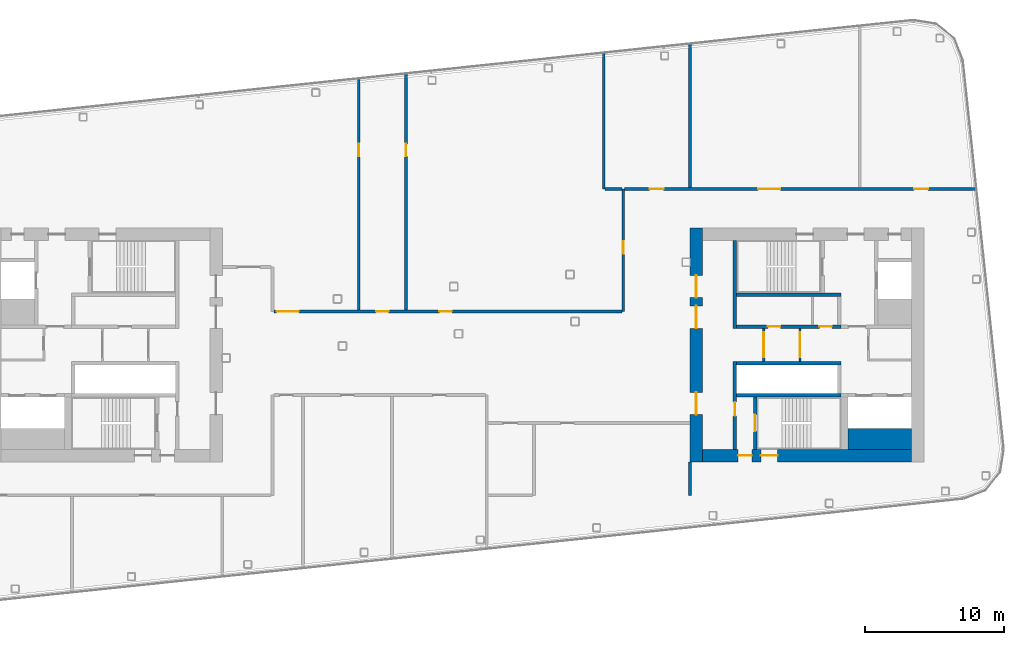
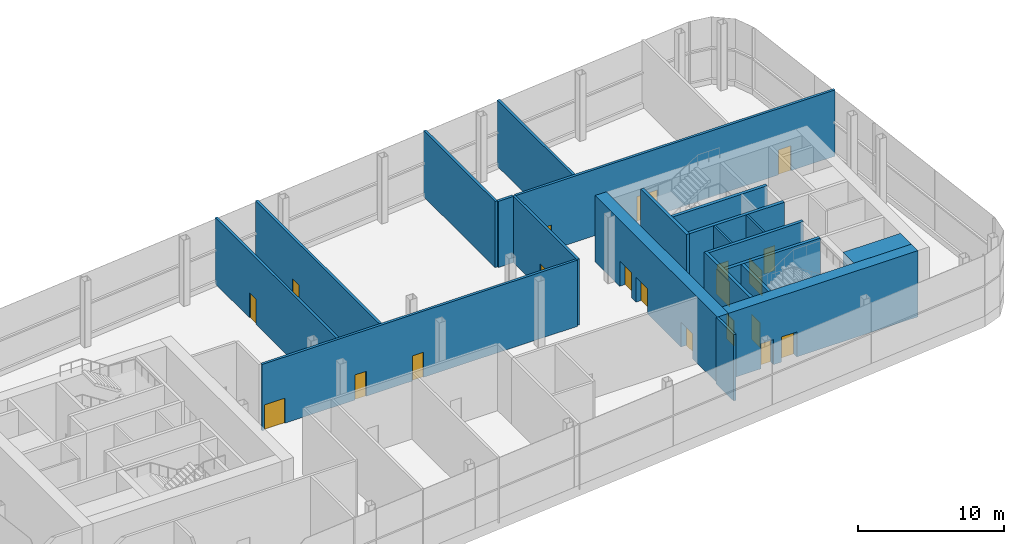
# One storey, part 16 of 35: 21 walls, 20 doors, 20 openings.
"""IFC4 building model written with IfcOpenShell, lengths in metres."""

import ifcopenshell
import ifcopenshell.guid

model = None  # the IFC model being written
_history = None  # IfcOwnerHistory: only IFC2X3 demands one
_inside = {}  # id of a spatial element -> (the spatial element, [elements in it])
_under = {}  # id of a project, library or spatial element -> (it, [spatial elements below it])
_declared = {}  # id of a project -> (the project, [libraries it declares])
_typed = {}  # id of a type object -> (the type object, [elements of that type])
_made_of = {}  # id of a material, layer set ... -> (it, [elements and type objects made of it])


def new_model(schema):
    """Start an empty IFC model of exactly this schema.

    Asked for "IFC4X3", IfcOpenShell would pick the latest addendum, in which some entities
    have other attributes; the version numbers below select the first issue.
    IFC2X3 requires an IfcOwnerHistory on every rooted entity: one is made here for all.
    """
    global model, _history
    if schema == "IFC4X3":
        model = ifcopenshell.file(schema_version=(4, 3, 0, 0))
    else:
        model = ifcopenshell.file(schema=schema)
    _inside.clear()
    _under.clear()
    _declared.clear()
    _typed.clear()
    _made_of.clear()
    _history = None
    if model.schema == "IFC2X3":
        org = make("IfcOrganization", Name="unknown")
        user = make(
            "IfcPersonAndOrganization",
            ThePerson=make("IfcPerson", FamilyName="unknown"),
            TheOrganization=org,
        )
        app = make(
            "IfcApplication",
            ApplicationDeveloper=org,
            Version="unknown",
            ApplicationFullName="unknown",
            ApplicationIdentifier="unknown",
        )
        _history = make(
            "IfcOwnerHistory",
            OwningUser=user,
            OwningApplication=app,
            ChangeAction="ADDED",
            CreationDate=0,
        )
    return model


def make(cls, **values):
    """One entity of the class cls with the attributes given. An attribute that is None is left unset."""
    return model.create_entity(
        cls, **{name: value for name, value in values.items() if value is not None}
    )


def rooted(cls, **values):
    """An entity with a GlobalId (a new one), such as an element, a storey or a relation."""
    return make(cls, GlobalId=ifcopenshell.guid.new(), OwnerHistory=_history, **values)


def si_unit(unit_type, name, prefix=None):
    """IfcSIUnit, for example si_unit("LENGTHUNIT", "METRE", prefix="MILLI")."""
    return make("IfcSIUnit", UnitType=unit_type, Prefix=prefix, Name=name)


def assignment(units):
    """IfcUnitAssignment: the units of a project."""
    return None if units is None else make("IfcUnitAssignment", Units=units)


def point(xyz):
    """IfcCartesianPoint."""
    return None if xyz is None else make("IfcCartesianPoint", Coordinates=xyz)


def direction(xyz):
    """IfcDirection."""
    return None if xyz is None else make("IfcDirection", DirectionRatios=xyz)


def frame(location, z_axis=None, x_axis=None):
    """IfcAxis2Placement3D, a coordinate frame: its origin and axes. An axis left out is left unset."""
    return make(
        "IfcAxis2Placement3D",
        Location=point(location),
        Axis=direction(z_axis),
        RefDirection=direction(x_axis),
    )


def frame_2d(location, x_axis=None):
    """IfcAxis2Placement2D, a coordinate frame in the plane: its origin and x axis."""
    return make(
        "IfcAxis2Placement2D", Location=point(location), RefDirection=direction(x_axis)
    )


def origin():
    """The frame at (0, 0, 0) with its axes left unset."""
    return frame((0.0, 0.0, 0.0))


def place(relative_to, where):
    """IfcLocalPlacement: puts the frame where relative to a parent placement (None: the world)."""
    return make(
        "IfcLocalPlacement", PlacementRelTo=relative_to, RelativePlacement=where
    )


def context(
    kind, dimensions, precision=None, world=None, true_north=None, identifier=None
):
    """IfcGeometricRepresentationContext, for example the 3D "Model" context."""
    return make(
        "IfcGeometricRepresentationContext",
        ContextIdentifier=identifier,
        ContextType=kind,
        CoordinateSpaceDimension=dimensions,
        Precision=precision,
        WorldCoordinateSystem=world,
        TrueNorth=true_north,
    )


def subcontext(parent, identifier, kind, view, scale=None):
    """IfcGeometricRepresentationSubContext, for example "Body" below "Model"."""
    return make(
        "IfcGeometricRepresentationSubContext",
        ContextIdentifier=identifier,
        ContextType=kind,
        ParentContext=parent,
        TargetScale=scale,
        TargetView=view,
    )


def project(units=None, contexts=None):
    """IfcProject with its units and contexts."""
    return rooted(
        "IfcProject",
        Name="project",
        RepresentationContexts=contexts,
        UnitsInContext=assignment(units),
    )


def spatial(cls, under=None, at=None, **own):
    """A site, building, storey or space (cls), placed at a placement, below another one or the project."""
    s = rooted(cls, ObjectPlacement=at, **own)
    if under is not None:
        _under.setdefault(under.id(), (under, []))[1].append(s)
    return s


def profile(cls, at=None, kind="AREA", **sizes):
    """A parametric profile (cls). Its sizes go by their IFC names, for example OverallWidth=200.0."""
    return make(cls, ProfileType=kind, Position=at, **sizes)


def rectangle(**sizes):
    """IfcRectangleProfileDef."""
    return profile("IfcRectangleProfileDef", **sizes)


def extrude(swept, where, along, depth):
    """IfcExtrudedAreaSolid: the profile swept, set in the frame where, extruded along a direction by depth."""
    return make(
        "IfcExtrudedAreaSolid",
        SweptArea=swept,
        Position=where,
        ExtrudedDirection=direction(along),
        Depth=depth,
    )


def shape(context_of_items, identifier, shape_type, items):
    """IfcShapeRepresentation: the items that make up one representation, for example the "Body"."""
    return make(
        "IfcShapeRepresentation",
        ContextOfItems=context_of_items,
        RepresentationIdentifier=identifier,
        RepresentationType=shape_type,
        Items=items,
    )


def material(Name=None, Category=None):
    """IfcMaterial."""
    return make("IfcMaterial", Name=Name, Category=Category)


def layer(
    of_material, thickness, ventilated=None, Name=None, Category=None, Priority=None
):
    """IfcMaterialLayer: one layer of a wall or slab, of a material (None: an air gap)."""
    return make(
        "IfcMaterialLayer",
        Material=of_material,
        LayerThickness=thickness,
        IsVentilated=ventilated,
        Name=Name,
        Category=Category,
        Priority=Priority,
    )


def layer_set(layers, Name=None):
    """IfcMaterialLayerSet."""
    return make("IfcMaterialLayerSet", MaterialLayers=layers, LayerSetName=Name)


def made_of(thing, what):
    """Note that an element or type object is made of a material, layer set ...; save() writes the relation."""
    if what is not None:
        _made_of.setdefault(what.id(), (what, []))[1].append(thing)
    return thing


def type_object(cls, material=None, **own):
    """A type object (cls), such as IfcWallType, which elements share."""
    return made_of(rooted(cls, **own), material)


def element(
    cls,
    number,
    at=None,
    inside=None,
    cuts=None,
    type_object=None,
    material=None,
    context=None,
    identifier="Body",
    shape_type=None,
    held_by="IfcProductDefinitionShape",
    body=None,
    shapes=None,
    **own,
):
    """One element of the class cls, such as IfcWall. Its Tag is "e" and its number.

    at: its placement. inside: the storey or other place that contains it. cuts: it is an
    opening in that element (IfcRelVoidsElement). A single representation is given by context,
    identifier, shape_type and body (its items); several are given by shapes. held_by: the class
    of the entity that holds the representations. save() writes the other relations.
    """
    e = rooted(cls, Tag="e%d" % number, ObjectPlacement=at, **own)
    if body is not None:
        shapes = [shape(context, identifier, shape_type, body)]
    if shapes is not None:
        e.Representation = make(held_by, Representations=shapes)
    if inside is not None:
        _inside.setdefault(inside.id(), (inside, []))[1].append(e)
    if cuts is not None:
        rooted(
            "IfcRelVoidsElement", RelatingBuildingElement=cuts, RelatedOpeningElement=e
        )
    if type_object is not None:
        _typed.setdefault(type_object.id(), (type_object, []))[1].append(e)
    return made_of(e, material)


def fill(opening, filler):
    """IfcRelFillsElement: the door or window that sits in an opening."""
    return rooted(
        "IfcRelFillsElement",
        RelatingOpeningElement=opening,
        RelatedBuildingElement=filler,
    )


def aggregate(whole, parts):
    """IfcRelAggregates: a whole, such as a stair, and the parts it consists of."""
    return rooted("IfcRelAggregates", RelatingObject=whole, RelatedObjects=parts)


def save(model, path):
    """Write the relations noted so far, then the file.

    IfcRelAggregates (storeys below a building ...), IfcRelContainedInSpatialStructure (elements
    in a storey), IfcRelDefinesByType, IfcRelAssociatesMaterial and IfcRelDeclares: one each for
    every whole, place, type object, material and project.
    """
    for whole, parts in _under.values():
        aggregate(whole, parts)
    for where, things in _inside.values():
        rooted(
            "IfcRelContainedInSpatialStructure",
            RelatedElements=things,
            RelatingStructure=where,
        )
    for kind, things in _typed.values():
        rooted("IfcRelDefinesByType", RelatedObjects=things, RelatingType=kind)
    for what, things in _made_of.values():
        rooted("IfcRelAssociatesMaterial", RelatedObjects=things, RelatingMaterial=what)
    for by, libraries in _declared.values():
        rooted("IfcRelDeclares", RelatingContext=by, RelatedDefinitions=libraries)
    model.write(path)


model = new_model("IFC4")

# Units and contexts
model_context = context("Model", 3, precision=1e-05, world=origin(), true_north=direction((0.0, 1.0)))
body_context = subcontext(model_context, "Body", "Model", "MODEL_VIEW")
ifc_project = project(units=[si_unit("LENGTHUNIT", "METRE"), si_unit("AREAUNIT", "SQUARE_METRE"), si_unit("VOLUMEUNIT", "CUBIC_METRE"), si_unit("PLANEANGLEUNIT", "RADIAN"), si_unit("MASSUNIT", "GRAM", prefix="KILO")], contexts=[model_context])

# Site, building, storey
site_placement = place(None, origin())
site = spatial("IfcSite", under=ifc_project, at=site_placement, CompositionType="ELEMENT")
building_placement = place(site_placement, origin())
building = spatial("IfcBuilding", under=site, at=building_placement, Name="Hakoniwa Tower and Hamabe Station Hall", CompositionType="ELEMENT")
storey_placement = place(building_placement, frame((0.0, 0.0, 264.60009765625)))
storey = spatial("IfcBuildingStorey", under=building, at=storey_placement, Name="L75", CompositionType="ELEMENT", Elevation=264.60009765625)

# Wall, opening, door
ifc_material_1 = material(Name="Gypsum board partition")
ifc_layer_1 = layer(ifc_material_1, 0.14990234375)
ifc_layer_set_1 = layer_set([ifc_layer_1], Name="CORE PARTITION 150 EI 60")
wall_type_1 = type_object("IfcWallType", Name="CORE PARTITION 150 EI 60", PredefinedType="PARTITIONING", material=ifc_layer_set_1)
wall_1_placement = place(storey_placement, frame((22.10009765625, -1.199951171875, 0.0), z_axis=(0.0, 0.0, 1.0), x_axis=(0.0, 1.0, 0.0)))
wall_1 = element("IfcWall", 1, at=wall_1_placement, inside=storey, type_object=wall_type_1, Name="Core partition PL0 east", PredefinedType="PARTITIONING", context=body_context, shape_type="SweptSolid", body=[
    extrude(rectangle(XDim=2.39990234375, YDim=0.14990234375, at=frame_2d((1.199951171875, 0.0))), origin(), (0.0, 0.0, 1.0), 5.5498046875),
])
opening_1_placement = place(wall_1_placement, frame((0.300048828125, 0.0, 0.0)))
opening_1 = element("IfcOpeningElement", 2, at=opening_1_placement, cuts=wall_1, Name="Opening CD-E-LP0-18", PredefinedType="OPENING", context=body_context, shape_type="SweptSolid", body=[
    extrude(rectangle(XDim=1.800048828125, YDim=2.10009765625, at=frame_2d((0.89990234375, 1.050048828125))), frame((0.0, 0.0849609375, 0.0), z_axis=(0.0, -1.0, 0.0), x_axis=(1.0, 0.0, 0.0)), (0.0, 0.0, 1.0), 0.169921875),
])
ifc_material_2 = material(Name="Steel fire door", Category="steel")
door_type_1 = type_object("IfcDoorType", Name="CORE DOOR 1800 FD60", OperationType="DOUBLE_DOOR_SINGLE_SWING", PredefinedType="DOOR", material=ifc_material_2)
door_1_placement = place(opening_1_placement, origin())
door_1 = element("IfcDoor", 3, at=door_1_placement, inside=storey, type_object=door_type_1, Name="Lift lobby partition door", OperationType="DOUBLE_DOOR_SINGLE_SWING", OverallHeight=2.10009765625, OverallWidth=1.800048828125, PredefinedType="DOOR", context=body_context, shape_type="SweptSolid", body=[
    extrude(rectangle(XDim=1.800048828125, YDim=2.10009765625, at=frame_2d((0.89990234375, 1.050048828125))), frame((0.0, 0.02490234375, 0.0), z_axis=(0.0, -1.0, 0.0), x_axis=(1.0, 0.0, 0.0)), (0.0, 0.0, 1.0), 0.050048828125),
])
fill(opening_1, door_1)

wall_2_placement = place(storey_placement, frame((24.699951171875, -1.199951171875, 0.0), z_axis=(0.0, 0.0, 1.0), x_axis=(0.0, 1.0, 0.0)))
wall_2 = element("IfcWall", 4, at=wall_2_placement, inside=storey, type_object=wall_type_1, Name="Core partition PL1 east", PredefinedType="PARTITIONING", context=body_context, shape_type="SweptSolid", body=[
    extrude(rectangle(XDim=2.39990234375, YDim=0.14990234375, at=frame_2d((1.199951171875, 0.0))), origin(), (0.0, 0.0, 1.0), 5.5498046875),
])
opening_2_placement = place(wall_2_placement, frame((0.300048828125, 0.0, 0.0)))
opening_2 = element("IfcOpeningElement", 5, at=opening_2_placement, cuts=wall_2, Name="Opening CD-E-LP1-18", PredefinedType="OPENING", context=body_context, shape_type="SweptSolid", body=[
    extrude(rectangle(XDim=1.800048828125, YDim=2.10009765625, at=frame_2d((0.89990234375, 1.050048828125))), frame((0.0, 0.0849609375, 0.0), z_axis=(0.0, -1.0, 0.0), x_axis=(1.0, 0.0, 0.0)), (0.0, 0.0, 1.0), 0.169921875),
])
door_2_placement = place(opening_2_placement, origin())
door_2 = element("IfcDoor", 6, at=door_2_placement, inside=storey, type_object=door_type_1, Name="Lift lobby partition door", OperationType="DOUBLE_DOOR_SINGLE_SWING", OverallHeight=2.10009765625, OverallWidth=1.800048828125, PredefinedType="DOOR", context=body_context, shape_type="SweptSolid", body=[
    extrude(rectangle(XDim=1.800048828125, YDim=2.10009765625, at=frame_2d((0.89990234375, 1.050048828125))), frame((0.0, 0.02490234375, 0.0), z_axis=(0.0, -1.0, 0.0), x_axis=(1.0, 0.0, 0.0)), (0.0, 0.0, 1.0), 0.050048828125),
])
fill(opening_2, door_2)

# Wall, openings, doors
ifc_material_3 = material(Name="Concrete C60", Category="concrete")
ifc_layer_2 = layer(ifc_material_3, 0.89990234375)
ifc_layer_set_2 = layer_set([ifc_layer_2], Name="CORE WALL 900 C60")
wall_type_2 = type_object("IfcWallType", Name="CORE WALL 900 C60", PredefinedType="SHEAR", material=ifc_layer_set_2)
wall_3_placement = place(storey_placement, frame((17.25, -8.39990234375, 0.0), z_axis=(0.0, 0.0, 1.0), x_axis=(0.0, 1.0, 0.0)))
wall_3 = element("IfcWall", 7, at=wall_3_placement, inside=storey, type_object=wall_type_2, Name="Core wall INNER east", PredefinedType="SHEAR", context=body_context, shape_type="SweptSolid", body=[
    extrude(rectangle(XDim=16.7998046875, YDim=0.89990234375, at=frame_2d((8.39990234375, 0.0))), origin(), (0.0, 0.0, 1.0), 5.5498046875),
])
opening_3_placement = place(wall_3_placement, frame((3.39990234375, 0.0, 0.0)))
opening_3 = element("IfcOpeningElement", 8, at=opening_3_placement, cuts=wall_3, Name="Opening CD-E-IN1-16", PredefinedType="OPENING", context=body_context, shape_type="SweptSolid", body=[
    extrude(rectangle(XDim=1.60009765625, YDim=2.10009765625, at=frame_2d((0.800048828125, 1.050048828125))), frame((0.0, 0.4599609375, 0.0), z_axis=(0.0, -1.0, 0.0), x_axis=(1.0, 0.0, 0.0)), (0.0, 0.0, 1.0), 0.919921875),
])
opening_4_placement = place(wall_3_placement, frame((9.60009765625, 0.0, 0.0)))
opening_4 = element("IfcOpeningElement", 9, at=opening_4_placement, cuts=wall_3, Name="Opening CD-E-IN2-16", PredefinedType="OPENING", context=body_context, shape_type="SweptSolid", body=[
    extrude(rectangle(XDim=1.60009765625, YDim=2.10009765625, at=frame_2d((0.800048828125, 1.050048828125))), frame((0.0, 0.4599609375, 0.0), z_axis=(0.0, -1.0, 0.0), x_axis=(1.0, 0.0, 0.0)), (0.0, 0.0, 1.0), 0.919921875),
])
opening_5_placement = place(wall_3_placement, frame((11.800048828125, 0.0, 0.0)))
opening_5 = element("IfcOpeningElement", 10, at=opening_5_placement, cuts=wall_3, Name="Opening CD-E-IN3-16", PredefinedType="OPENING", context=body_context, shape_type="SweptSolid", body=[
    extrude(rectangle(XDim=1.60009765625, YDim=2.10009765625, at=frame_2d((0.800048828125, 1.050048828125))), frame((0.0, 0.4599609375, 0.0), z_axis=(0.0, -1.0, 0.0), x_axis=(1.0, 0.0, 0.0)), (0.0, 0.0, 1.0), 0.919921875),
])
ifc_material_4 = material(Name="Steel fire door", Category="steel")
door_type_2 = type_object("IfcDoorType", Name="CORE DOOR 1600 FD60", OperationType="DOUBLE_DOOR_SINGLE_SWING", PredefinedType="DOOR", material=ifc_material_4)
door_3_placement = place(opening_3_placement, origin())
door_3 = element("IfcDoor", 11, at=door_3_placement, inside=storey, type_object=door_type_2, Name="Lift lobby door", OperationType="DOUBLE_DOOR_SINGLE_SWING", OverallHeight=2.10009765625, OverallWidth=1.60009765625, PredefinedType="DOOR", context=body_context, shape_type="SweptSolid", body=[
    extrude(rectangle(XDim=1.60009765625, YDim=2.10009765625, at=frame_2d((0.800048828125, 1.050048828125))), frame((0.0, 0.02490234375, 0.0), z_axis=(0.0, -1.0, 0.0), x_axis=(1.0, 0.0, 0.0)), (0.0, 0.0, 1.0), 0.050048828125),
])
fill(opening_3, door_3)
door_4_placement = place(opening_4_placement, origin())
door_4 = element("IfcDoor", 12, at=door_4_placement, inside=storey, type_object=door_type_2, Name="Lift lobby door", OperationType="DOUBLE_DOOR_SINGLE_SWING", OverallHeight=2.10009765625, OverallWidth=1.60009765625, PredefinedType="DOOR", context=body_context, shape_type="SweptSolid", body=[
    extrude(rectangle(XDim=1.60009765625, YDim=2.10009765625, at=frame_2d((0.800048828125, 1.050048828125))), frame((0.0, 0.02490234375, 0.0), z_axis=(0.0, -1.0, 0.0), x_axis=(1.0, 0.0, 0.0)), (0.0, 0.0, 1.0), 0.050048828125),
])
fill(opening_4, door_4)
door_5_placement = place(opening_5_placement, origin())
door_5 = element("IfcDoor", 13, at=door_5_placement, inside=storey, type_object=door_type_2, Name="Lift lobby door", OperationType="DOUBLE_DOOR_SINGLE_SWING", OverallHeight=2.10009765625, OverallWidth=1.60009765625, PredefinedType="DOOR", context=body_context, shape_type="SweptSolid", body=[
    extrude(rectangle(XDim=1.60009765625, YDim=2.10009765625, at=frame_2d((0.800048828125, 1.050048828125))), frame((0.0, 0.02490234375, 0.0), z_axis=(0.0, -1.0, 0.0), x_axis=(1.0, 0.0, 0.0)), (0.0, 0.0, 1.0), 0.050048828125),
])
fill(opening_5, door_5)

wall_4_placement = place(storey_placement, frame((17.699951171875, -7.949951171875, 0.0), z_axis=(0.0, 0.0, 1.0), x_axis=(1.0, 0.0, 0.0)))
wall_4 = element("IfcWall", 14, at=wall_4_placement, inside=storey, type_object=wall_type_2, Name="Core wall SOUTH east", PredefinedType="SHEAR", context=body_context, shape_type="SweptSolid", body=[
    extrude(rectangle(XDim=15.0, YDim=0.89990234375, at=frame_2d((7.5, 0.0))), origin(), (0.0, 0.0, 1.0), 5.5498046875),
])
opening_6_placement = place(wall_4_placement, frame((2.550048828125, 0.0, 0.0)))
opening_6 = element("IfcOpeningElement", 15, at=opening_6_placement, cuts=wall_4, Name="Opening CD-E-FS3-10", PredefinedType="OPENING", context=body_context, shape_type="SweptSolid", body=[
    extrude(rectangle(XDim=1.0, YDim=2.10009765625, at=frame_2d((0.5, 1.050048828125))), frame((0.0, 0.4599609375, 0.0), z_axis=(0.0, -1.0, 0.0), x_axis=(1.0, 0.0, 0.0)), (0.0, 0.0, 1.0), 0.919921875),
])
opening_7_placement = place(wall_4_placement, frame((4.199951171875, 0.0, 0.0)))
opening_7 = element("IfcOpeningElement", 16, at=opening_7_placement, cuts=wall_4, Name="Opening CD-E-FS5-12", PredefinedType="OPENING", context=body_context, shape_type="SweptSolid", body=[
    extrude(rectangle(XDim=1.199951171875, YDim=2.10009765625, at=frame_2d((0.60009765625, 1.050048828125))), frame((0.0, 0.4599609375, 0.0), z_axis=(0.0, -1.0, 0.0), x_axis=(1.0, 0.0, 0.0)), (0.0, 0.0, 1.0), 0.919921875),
])
ifc_material_5 = material(Name="Steel fire door", Category="steel")
door_type_3 = type_object("IfcDoorType", Name="CORE DOOR 1000 FD60", OperationType="NOTDEFINED", PredefinedType="DOOR", material=ifc_material_5)
door_6_placement = place(opening_6_placement, origin())
door_6 = element("IfcDoor", 17, at=door_6_placement, inside=storey, type_object=door_type_3, Name="Stair vestibule door", OperationType="SINGLE_SWING_RIGHT", OverallHeight=2.10009765625, OverallWidth=1.0, PredefinedType="DOOR", context=body_context, shape_type="SweptSolid", body=[
    extrude(rectangle(XDim=1.0, YDim=2.10009765625, at=frame_2d((0.5, 1.050048828125))), frame((0.0, 0.02490234375, 0.0), z_axis=(0.0, -1.0, 0.0), x_axis=(1.0, 0.0, 0.0)), (0.0, 0.0, 1.0), 0.050048828125),
])
fill(opening_6, door_6)
ifc_material_6 = material(Name="Steel fire door", Category="steel")
door_type_4 = type_object("IfcDoorType", Name="CORE DOOR 1200 FD60", OperationType="DOUBLE_DOOR_SINGLE_SWING", PredefinedType="DOOR", material=ifc_material_6)
door_7_placement = place(opening_7_placement, origin())
door_7 = element("IfcDoor", 18, at=door_7_placement, inside=storey, type_object=door_type_4, Name="Stair vestibule door to stair B", OperationType="DOUBLE_DOOR_SINGLE_SWING", OverallHeight=2.10009765625, OverallWidth=1.199951171875, PredefinedType="DOOR", context=body_context, shape_type="SweptSolid", body=[
    extrude(rectangle(XDim=1.199951171875, YDim=2.10009765625, at=frame_2d((0.60009765625, 1.050048828125))), frame((0.0, 0.02490234375, 0.0), z_axis=(0.0, -1.0, 0.0), x_axis=(1.0, 0.0, 0.0)), (0.0, 0.0, 1.0), 0.050048828125),
])
fill(opening_7, door_7)

# Walls
ifc_material_7 = material(Name="Concrete C60", Category="concrete")
ifc_layer_3 = layer(ifc_material_7, 1.5)
ifc_layer_set_3 = layer_set([ifc_layer_3], Name="CORE WEB WALL 1500 C60")
wall_type_3 = type_object("IfcWallType", Name="CORE WEB WALL 1500 C60", PredefinedType="SHEAR", material=ifc_layer_set_3)
wall_5_placement = place(storey_placement, frame((28.14990234375, -6.75, 0.0), z_axis=(0.0, 0.0, 1.0), x_axis=(1.0, 0.0, 0.0)))
element("IfcWall", 19, at=wall_5_placement, inside=storey, type_object=wall_type_3, Name="Core wall SER east", PredefinedType="SHEAR", context=body_context, shape_type="SweptSolid", body=[
    extrude(rectangle(XDim=4.550048828125, YDim=1.5, at=frame_2d((2.27490234375, 0.0))), origin(), (0.0, 0.0, 1.0), 5.5498046875),
])
ifc_material_8 = material(Name="Concrete C60", Category="concrete")
ifc_layer_4 = layer(ifc_material_8, 0.25)
ifc_layer_set_4 = layer_set([ifc_layer_4], Name="CORE WEB WALL 250 C60")
wall_type_4 = type_object("IfcWallType", Name="CORE WEB WALL 250 C60", PredefinedType="SHEAR", material=ifc_layer_set_4)
wall_6_placement = place(storey_placement, frame((20.02490234375, 1.199951171875, 0.0), z_axis=(0.0, 0.0, 1.0), x_axis=(0.0, 1.0, 0.0)))
element("IfcWall", 20, at=wall_6_placement, inside=storey, type_object=wall_type_4, Name="Core wall W1N east", PredefinedType="SHEAR", context=body_context, shape_type="SweptSolid", body=[
    extrude(rectangle(XDim=6.300048828125, YDim=0.25, at=frame_2d((3.14990234375, 0.0))), origin(), (0.0, 0.0, 1.0), 5.5498046875),
])

# Wall, opening, door
wall_7_placement = place(storey_placement, frame((20.02490234375, -7.5, 0.0), z_axis=(0.0, 0.0, 1.0), x_axis=(0.0, 1.0, 0.0)))
wall_7 = element("IfcWall", 21, at=wall_7_placement, inside=storey, type_object=wall_type_4, Name="Core wall W1S east", PredefinedType="SHEAR", context=body_context, shape_type="SweptSolid", body=[
    extrude(rectangle(XDim=6.300048828125, YDim=0.25, at=frame_2d((3.14990234375, 0.0))), origin(), (0.0, 0.0, 1.0), 5.5498046875),
])
opening_8_placement = place(wall_7_placement, frame((2.39990234375, 0.0, 0.0)))
opening_8 = element("IfcOpeningElement", 22, at=opening_8_placement, cuts=wall_7, Name="Opening CD-E-VS-10", PredefinedType="OPENING", context=body_context, shape_type="SweptSolid", body=[
    extrude(rectangle(XDim=1.0, YDim=2.10009765625, at=frame_2d((0.5, 1.050048828125))), frame((0.0, 0.135009765625, 0.0), z_axis=(0.0, -1.0, 0.0), x_axis=(1.0, 0.0, 0.0)), (0.0, 0.0, 1.0), 0.27001953125),
])
door_8_placement = place(opening_8_placement, origin())
door_8 = element("IfcDoor", 23, at=door_8_placement, inside=storey, type_object=door_type_3, Name="Stair vestibule door", OperationType="SINGLE_SWING_RIGHT", OverallHeight=2.10009765625, OverallWidth=1.0, PredefinedType="DOOR", context=body_context, shape_type="SweptSolid", body=[
    extrude(rectangle(XDim=1.0, YDim=2.10009765625, at=frame_2d((0.5, 1.050048828125))), frame((0.0, 0.02490234375, 0.0), z_axis=(0.0, -1.0, 0.0), x_axis=(1.0, 0.0, 0.0)), (0.0, 0.0, 1.0), 0.050048828125),
])
fill(opening_8, door_8)

# Wall, openings, doors
wall_8_placement = place(storey_placement, frame((20.14990234375, 1.324951171875, 0.0), z_axis=(0.0, 0.0, 1.0), x_axis=(1.0, 0.0, 0.0)))
wall_8 = element("IfcWall", 24, at=wall_8_placement, inside=storey, type_object=wall_type_4, Name="Core wall NF east", PredefinedType="SHEAR", context=body_context, shape_type="SweptSolid", body=[
    extrude(rectangle(XDim=7.5, YDim=0.25, at=frame_2d((3.75, 0.0))), origin(), (0.0, 0.0, 1.0), 5.5498046875),
])
opening_9_placement = place(wall_8_placement, frame((2.237548828125, 0.0, 0.0)))
opening_9 = element("IfcOpeningElement", 25, at=opening_9_placement, cuts=wall_8, Name="Opening CD-E-FRLR0-9", PredefinedType="OPENING", context=body_context, shape_type="SweptSolid", body=[
    extrude(rectangle(XDim=0.89990234375, YDim=2.10009765625, at=frame_2d((0.449951171875, 1.050048828125))), frame((0.0, 0.135009765625, 0.0), z_axis=(0.0, -1.0, 0.0), x_axis=(1.0, 0.0, 0.0)), (0.0, 0.0, 1.0), 0.27001953125),
])
opening_10_placement = place(wall_8_placement, frame((5.9375, 0.0, 0.0)))
opening_10 = element("IfcOpeningElement", 26, at=opening_10_placement, cuts=wall_8, Name="Opening CD-E-FRLR1-9", PredefinedType="OPENING", context=body_context, shape_type="SweptSolid", body=[
    extrude(rectangle(XDim=0.89990234375, YDim=2.10009765625, at=frame_2d((0.449951171875, 1.050048828125))), frame((0.0, 0.135009765625, 0.0), z_axis=(0.0, -1.0, 0.0), x_axis=(1.0, 0.0, 0.0)), (0.0, 0.0, 1.0), 0.27001953125),
])
ifc_material_9 = material(Name="Steel fire door", Category="steel")
door_type_5 = type_object("IfcDoorType", Name="CORE DOOR 900 FD30", OperationType="NOTDEFINED", PredefinedType="DOOR", material=ifc_material_9)
door_9_placement = place(opening_9_placement, origin())
door_9 = element("IfcDoor", 27, at=door_9_placement, inside=storey, type_object=door_type_5, Name="Store room door", OperationType="SINGLE_SWING_RIGHT", OverallHeight=2.10009765625, OverallWidth=0.89990234375, PredefinedType="DOOR", context=body_context, shape_type="SweptSolid", body=[
    extrude(rectangle(XDim=0.89990234375, YDim=2.10009765625, at=frame_2d((0.449951171875, 1.050048828125))), frame((0.0, 0.02490234375, 0.0), z_axis=(0.0, -1.0, 0.0), x_axis=(1.0, 0.0, 0.0)), (0.0, 0.0, 1.0), 0.050048828125),
])
fill(opening_9, door_9)
door_10_placement = place(opening_10_placement, origin())
door_10 = element("IfcDoor", 28, at=door_10_placement, inside=storey, type_object=door_type_5, Name="Store room door", OperationType="SINGLE_SWING_LEFT", OverallHeight=2.10009765625, OverallWidth=0.89990234375, PredefinedType="DOOR", context=body_context, shape_type="SweptSolid", body=[
    extrude(rectangle(XDim=0.89990234375, YDim=2.10009765625, at=frame_2d((0.449951171875, 1.050048828125))), frame((0.0, 0.02490234375, 0.0), z_axis=(0.0, -1.0, 0.0), x_axis=(1.0, 0.0, 0.0)), (0.0, 0.0, 1.0), 0.050048828125),
])
fill(opening_10, door_10)

# Walls
for number, where, z_axis, x_axis, name in (
    (29, (20.14990234375, 3.625, 0.0), (0.0, 0.0, 1.0), (1.0, 0.0, 0.0), "Core wall NR east"),
    (30, (20.14990234375, -1.324951171875, 0.0), (0.0, 0.0, 1.0), (1.0, 0.0, 0.0), "Core wall SF east"),
    (31, (20.14990234375, -3.625, 0.0), (0.0, 0.0, 1.0), (1.0, 0.0, 0.0), "Core wall SR east"),
):
    element("IfcWall", number, at=place(storey_placement, frame(where, z_axis=z_axis, x_axis=x_axis)), inside=storey, type_object=wall_type_4, Name=name, PredefinedType="SHEAR", context=body_context, shape_type="SweptSolid", body=[
        extrude(rectangle(XDim=7.5, YDim=0.25, at=frame_2d((3.75, 0.0))), origin(), (0.0, 0.0, 1.0), 5.5498046875),
    ])

# Wall, opening, door
wall_9_placement = place(storey_placement, frame((21.47509765625, -7.5, 0.0), z_axis=(0.0, 0.0, 1.0), x_axis=(0.0, 1.0, 0.0)))
wall_9 = element("IfcWall", 32, at=wall_9_placement, inside=storey, type_object=wall_type_4, Name="Core wall VE east", PredefinedType="SHEAR", context=body_context, shape_type="SweptSolid", body=[
    extrude(rectangle(XDim=3.75, YDim=0.25, at=frame_2d((1.875, 0.0))), origin(), (0.0, 0.0, 1.0), 5.5498046875),
])
opening_11_placement = place(wall_9_placement, frame((1.300048828125, 0.0, 0.0)))
opening_11 = element("IfcOpeningElement", 33, at=opening_11_placement, cuts=wall_9, Name="Opening CD-E-SS-12", PredefinedType="OPENING", context=body_context, shape_type="SweptSolid", body=[
    extrude(rectangle(XDim=1.199951171875, YDim=2.10009765625, at=frame_2d((0.60009765625, 1.050048828125))), frame((0.0, 0.135009765625, 0.0), z_axis=(0.0, -1.0, 0.0), x_axis=(1.0, 0.0, 0.0)), (0.0, 0.0, 1.0), 0.27001953125),
])
door_11_placement = place(opening_11_placement, origin())
door_11 = element("IfcDoor", 34, at=door_11_placement, inside=storey, type_object=door_type_4, Name="Escape stair door", OperationType="DOUBLE_DOOR_SINGLE_SWING", OverallHeight=2.10009765625, OverallWidth=1.199951171875, PredefinedType="DOOR", context=body_context, shape_type="SweptSolid", body=[
    extrude(rectangle(XDim=1.199951171875, YDim=2.10009765625, at=frame_2d((0.60009765625, 1.050048828125))), frame((0.0, 0.02490234375, 0.0), z_axis=(0.0, -1.0, 0.0), x_axis=(1.0, 0.0, 0.0)), (0.0, 0.0, 1.0), 0.050048828125),
])
fill(opening_11, door_11)

# Wall, openings, doors
ifc_material_10 = material(Name="Fire-rated gypsum board partition", Category="gypsum")
ifc_layer_5 = layer(ifc_material_10, 0.199951171875)
ifc_layer_set_5 = layer_set([ifc_layer_5], Name="Corridor Wall 200")
wall_type_5 = type_object("IfcWallType", Name="Corridor Wall 200", PredefinedType="PARTITIONING", material=ifc_layer_set_5)
wall_10_placement = place(storey_placement, frame((-13.10009765625, 2.39990234375, 0.0), z_axis=(0.0, 0.0, 1.0), x_axis=(1.0, 0.0, 0.0)))
wall_10 = element("IfcWall", 35, at=wall_10_placement, inside=storey, type_object=wall_type_5, Name="GW-L75-006", PredefinedType="PARTITIONING", context=body_context, shape_type="SweptSolid", body=[
    extrude(rectangle(XDim=25.0, YDim=0.199951171875, at=frame_2d((12.5, 0.0))), origin(), (0.0, 0.0, 1.0), 5.5498046875),
])
opening_12_placement = place(wall_10_placement, frame((0.199951171875, 0.0, 0.0)))
opening_12 = element("IfcOpeningElement", 36, at=opening_12_placement, cuts=wall_10, Name="Opening GD-SL75-09", PredefinedType="OPENING", context=body_context, shape_type="SweptSolid", body=[
    extrude(rectangle(XDim=1.60009765625, YDim=2.10009765625, at=frame_2d((0.800048828125, 1.050048828125))), frame((0.0, 0.10986328125, 0.0), z_axis=(0.0, -1.0, 0.0), x_axis=(1.0, 0.0, 0.0)), (0.0, 0.0, 1.0), 0.219970703125),
])
opening_13_placement = place(wall_10_placement, frame((7.35009765625, 0.0, 0.0)))
opening_13 = element("IfcOpeningElement", 37, at=opening_13_placement, cuts=wall_10, Name="Opening GD-SL75-10", PredefinedType="OPENING", context=body_context, shape_type="SweptSolid", body=[
    extrude(rectangle(XDim=0.89990234375, YDim=2.10009765625, at=frame_2d((0.449951171875, 1.050048828125))), frame((0.0, 0.10986328125, 0.0), z_axis=(0.0, -1.0, 0.0), x_axis=(1.0, 0.0, 0.0)), (0.0, 0.0, 1.0), 0.219970703125),
])
opening_14_placement = place(wall_10_placement, frame((11.89990234375, 0.0, 0.0)))
opening_14 = element("IfcOpeningElement", 38, at=opening_14_placement, cuts=wall_10, Name="Opening GD-SL75-11", PredefinedType="OPENING", context=body_context, shape_type="SweptSolid", body=[
    extrude(rectangle(XDim=0.89990234375, YDim=2.10009765625, at=frame_2d((0.449951171875, 1.050048828125))), frame((0.0, 0.10986328125, 0.0), z_axis=(0.0, -1.0, 0.0), x_axis=(1.0, 0.0, 0.0)), (0.0, 0.0, 1.0), 0.219970703125),
])
ifc_material_11 = material(Name="Timber door leaf", Category="wood")
door_type_6 = type_object("IfcDoorType", Name="Double Door 1600", OperationType="DOUBLE_DOOR_SINGLE_SWING", PredefinedType="DOOR", material=ifc_material_11)
door_12_placement = place(opening_12_placement, origin())
door_12 = element("IfcDoor", 39, at=door_12_placement, inside=storey, type_object=door_type_6, Name="Door GD-SL75-09", OperationType="DOUBLE_DOOR_SINGLE_SWING", OverallHeight=2.10009765625, OverallWidth=1.60009765625, PredefinedType="DOOR", context=body_context, shape_type="SweptSolid", body=[
    extrude(rectangle(XDim=1.60009765625, YDim=2.10009765625, at=frame_2d((0.800048828125, 1.050048828125))), frame((0.0, 0.02490234375, 0.0), z_axis=(0.0, -1.0, 0.0), x_axis=(1.0, 0.0, 0.0)), (0.0, 0.0, 1.0), 0.050048828125),
])
fill(opening_12, door_12)
ifc_material_12 = material(Name="Timber door leaf", Category="wood")
door_type_7 = type_object("IfcDoorType", Name="Service Door 900", OperationType="SINGLE_SWING_LEFT", PredefinedType="DOOR", material=ifc_material_12)
door_13_placement = place(opening_13_placement, origin())
door_13 = element("IfcDoor", 40, at=door_13_placement, inside=storey, type_object=door_type_7, Name="Door GD-SL75-10", OperationType="SINGLE_SWING_RIGHT", OverallHeight=2.10009765625, OverallWidth=0.89990234375, PredefinedType="DOOR", context=body_context, shape_type="SweptSolid", body=[
    extrude(rectangle(XDim=0.89990234375, YDim=2.10009765625, at=frame_2d((0.449951171875, 1.050048828125))), frame((0.0, 0.02490234375, 0.0), z_axis=(0.0, -1.0, 0.0), x_axis=(1.0, 0.0, 0.0)), (0.0, 0.0, 1.0), 0.050048828125),
])
fill(opening_13, door_13)
door_14_placement = place(opening_14_placement, origin())
door_14 = element("IfcDoor", 41, at=door_14_placement, inside=storey, type_object=door_type_7, Name="Door GD-SL75-11", OperationType="SINGLE_SWING_LEFT", OverallHeight=2.10009765625, OverallWidth=0.89990234375, PredefinedType="DOOR", context=body_context, shape_type="SweptSolid", body=[
    extrude(rectangle(XDim=0.89990234375, YDim=2.10009765625, at=frame_2d((0.449951171875, 1.050048828125))), frame((0.0, 0.02490234375, 0.0), z_axis=(0.0, -1.0, 0.0), x_axis=(1.0, 0.0, 0.0)), (0.0, 0.0, 1.0), 0.050048828125),
])
fill(opening_14, door_14)

wall_11_placement = place(storey_placement, frame((12.10009765625, 11.199951171875, 0.0), z_axis=(0.0, 0.0, 1.0), x_axis=(1.0, 0.0, 0.0)))
wall_11 = element("IfcWall", 42, at=wall_11_placement, inside=storey, type_object=wall_type_5, Name="GW-L75-009", PredefinedType="PARTITIONING", context=body_context, shape_type="SweptSolid", body=[
    extrude(rectangle(XDim=25.29541015625, YDim=0.199951171875, at=frame_2d((12.647705078125, 0.0))), origin(), (0.0, 0.0, 1.0), 5.5498046875),
])
opening_15_placement = place(wall_11_placement, frame((1.800048828125, 0.0, 0.0)))
opening_15 = element("IfcOpeningElement", 43, at=opening_15_placement, cuts=wall_11, Name="Opening GD-SL75-13", PredefinedType="OPENING", context=body_context, shape_type="SweptSolid", body=[
    extrude(rectangle(XDim=1.0, YDim=2.10009765625, at=frame_2d((0.5, 1.050048828125))), frame((0.0, 0.10986328125, 0.0), z_axis=(0.0, -1.0, 0.0), x_axis=(1.0, 0.0, 0.0)), (0.0, 0.0, 1.0), 0.219970703125),
])
opening_16_placement = place(wall_11_placement, frame((9.60009765625, 0.0, 0.0)))
opening_16 = element("IfcOpeningElement", 44, at=opening_16_placement, cuts=wall_11, Name="Opening GD-SL75-14", PredefinedType="OPENING", context=body_context, shape_type="SweptSolid", body=[
    extrude(rectangle(XDim=1.60009765625, YDim=2.10009765625, at=frame_2d((0.800048828125, 1.050048828125))), frame((0.0, 0.10986328125, 0.0), z_axis=(0.0, -1.0, 0.0), x_axis=(1.0, 0.0, 0.0)), (0.0, 0.0, 1.0), 0.219970703125),
])
opening_17_placement = place(wall_11_placement, frame((20.800048828125, 0.0, 0.0)))
opening_17 = element("IfcOpeningElement", 45, at=opening_17_placement, cuts=wall_11, Name="Opening GD-SL75-15", PredefinedType="OPENING", context=body_context, shape_type="SweptSolid", body=[
    extrude(rectangle(XDim=1.0, YDim=2.10009765625, at=frame_2d((0.5, 1.050048828125))), frame((0.0, 0.10986328125, 0.0), z_axis=(0.0, -1.0, 0.0), x_axis=(1.0, 0.0, 0.0)), (0.0, 0.0, 1.0), 0.219970703125),
])
door_15_placement = place(opening_16_placement, origin())
door_15 = element("IfcDoor", 46, at=door_15_placement, inside=storey, type_object=door_type_6, Name="Door GD-SL75-14", OperationType="DOUBLE_DOOR_SINGLE_SWING", OverallHeight=2.10009765625, OverallWidth=1.60009765625, PredefinedType="DOOR", context=body_context, shape_type="SweptSolid", body=[
    extrude(rectangle(XDim=1.60009765625, YDim=2.10009765625, at=frame_2d((0.800048828125, 1.050048828125))), frame((0.0, 0.02490234375, 0.0), z_axis=(0.0, -1.0, 0.0), x_axis=(1.0, 0.0, 0.0)), (0.0, 0.0, 1.0), 0.050048828125),
])
fill(opening_16, door_15)
ifc_material_13 = material(Name="Timber door leaf", Category="wood")
door_type_8 = type_object("IfcDoorType", Name="Guest Entrance Door 1000", OperationType="SINGLE_SWING_LEFT", PredefinedType="DOOR", material=ifc_material_13)
door_16_placement = place(opening_15_placement, origin())
door_16 = element("IfcDoor", 47, at=door_16_placement, inside=storey, type_object=door_type_8, Name="Door GD-SL75-13", OperationType="SINGLE_SWING_LEFT", OverallHeight=2.10009765625, OverallWidth=1.0, PredefinedType="DOOR", context=body_context, shape_type="SweptSolid", body=[
    extrude(rectangle(XDim=1.0, YDim=2.10009765625, at=frame_2d((0.5, 1.050048828125))), frame((0.0, 0.02490234375, 0.0), z_axis=(0.0, -1.0, 0.0), x_axis=(1.0, 0.0, 0.0)), (0.0, 0.0, 1.0), 0.050048828125),
])
fill(opening_15, door_16)
door_17_placement = place(opening_17_placement, origin())
door_17 = element("IfcDoor", 48, at=door_17_placement, inside=storey, type_object=door_type_8, Name="Door GD-SL75-15", OperationType="SINGLE_SWING_LEFT", OverallHeight=2.10009765625, OverallWidth=1.0, PredefinedType="DOOR", context=body_context, shape_type="SweptSolid", body=[
    extrude(rectangle(XDim=1.0, YDim=2.10009765625, at=frame_2d((0.5, 1.050048828125))), frame((0.0, 0.02490234375, 0.0), z_axis=(0.0, -1.0, 0.0), x_axis=(1.0, 0.0, 0.0)), (0.0, 0.0, 1.0), 0.050048828125),
])
fill(opening_17, door_17)

# Wall, opening, door
wall_12_placement = place(storey_placement, frame((12.0, 2.39990234375, 0.0), z_axis=(0.0, 0.0, 1.0), x_axis=(0.0, 1.0, 0.0)))
wall_12 = element("IfcWall", 49, at=wall_12_placement, inside=storey, type_object=wall_type_5, Name="GW-L75-022", PredefinedType="PARTITIONING", context=body_context, shape_type="SweptSolid", body=[
    extrude(rectangle(XDim=8.800048828125, YDim=0.199951171875, at=frame_2d((4.39990234375, 0.0))), origin(), (0.0, 0.0, 1.0), 5.5498046875),
])
opening_18_placement = place(wall_12_placement, frame((4.14990234375, 0.0, 0.0)))
opening_18 = element("IfcOpeningElement", 50, at=opening_18_placement, cuts=wall_12, Name="Opening GD-SL75-18", PredefinedType="OPENING", context=body_context, shape_type="SweptSolid", body=[
    extrude(rectangle(XDim=0.89990234375, YDim=2.10009765625, at=frame_2d((0.449951171875, 1.050048828125))), frame((0.0, 0.10986328125, 0.0), z_axis=(0.0, -1.0, 0.0), x_axis=(1.0, 0.0, 0.0)), (0.0, 0.0, 1.0), 0.219970703125),
])
door_18_placement = place(opening_18_placement, origin())
door_18 = element("IfcDoor", 51, at=door_18_placement, inside=storey, type_object=door_type_7, Name="Door GD-SL75-18", OperationType="SINGLE_SWING_RIGHT", OverallHeight=2.10009765625, OverallWidth=0.89990234375, PredefinedType="DOOR", context=body_context, shape_type="SweptSolid", body=[
    extrude(rectangle(XDim=0.89990234375, YDim=2.10009765625, at=frame_2d((0.449951171875, 1.050048828125))), frame((0.0, 0.02490234375, 0.0), z_axis=(0.0, -1.0, 0.0), x_axis=(1.0, 0.0, 0.0)), (0.0, 0.0, 1.0), 0.050048828125),
])
fill(opening_18, door_18)

# Walls
wall_13_placement = place(storey_placement, frame((16.800048828125, -10.800048828125, 0.0), z_axis=(0.0, 0.0, 1.0), x_axis=(0.0, 1.0, 0.0)))
element("IfcWall", 52, at=wall_13_placement, inside=storey, type_object=wall_type_5, Name="GW-L75-023", PredefinedType="PARTITIONING", context=body_context, shape_type="SweptSolid", body=[
    extrude(rectangle(XDim=2.400146484375, YDim=0.199951171875, at=frame_2d((1.2001953125, 0.0))), origin(), (0.0, 0.0, 1.0), 5.5498046875),
])
ifc_material_14 = material(Name="Fire-rated gypsum board partition", Category="gypsum")
ifc_layer_6 = layer(ifc_material_14, 0.199951171875)
ifc_layer_set_6 = layer_set([ifc_layer_6], Name="Party Wall 200")
wall_type_6 = type_object("IfcWallType", Name="Party Wall 200", PredefinedType="PARTITIONING", material=ifc_layer_set_6)
wall_14_placement = place(storey_placement, frame((10.699951171875, 11.199951171875, 0.0), z_axis=(0.0, 0.0, 1.0), x_axis=(1.0, 0.0, 0.0)))
element("IfcWall", 53, at=wall_14_placement, inside=storey, type_object=wall_type_6, Name="GW-L75-008", PredefinedType="PARTITIONING", context=body_context, shape_type="SweptSolid", body=[
    extrude(rectangle(XDim=1.199951171875, YDim=0.199951171875, at=frame_2d((0.60009765625, 0.0))), origin(), (0.0, 0.0, 1.0), 5.5498046875),
])

# Wall, opening, door
wall_15_placement = place(storey_placement, frame((-7.0, 2.5, 0.0), z_axis=(0.0, 0.0, 1.0), x_axis=(0.0, 1.0, 0.0)))
wall_15 = element("IfcWall", 54, at=wall_15_placement, inside=storey, type_object=wall_type_6, Name="GW-L75-015", PredefinedType="PARTITIONING", context=body_context, shape_type="SweptSolid", body=[
    extrude(rectangle(XDim=16.65966796875, YDim=0.199951171875, at=frame_2d((8.329833984375, 0.0))), origin(), (0.0, 0.0, 1.0), 5.5498046875),
])
opening_19_placement = place(wall_15_placement, frame((11.050048828125, 0.0, 0.0)))
opening_19 = element("IfcOpeningElement", 55, at=opening_19_placement, cuts=wall_15, Name="Opening GD-SL75-16", PredefinedType="OPENING", context=body_context, shape_type="SweptSolid", body=[
    extrude(rectangle(XDim=0.89990234375, YDim=2.10009765625, at=frame_2d((0.449951171875, 1.050048828125))), frame((0.0, 0.10986328125, 0.0), z_axis=(0.0, -1.0, 0.0), x_axis=(1.0, 0.0, 0.0)), (0.0, 0.0, 1.0), 0.219970703125),
])
door_19_placement = place(opening_19_placement, origin())
door_19 = element("IfcDoor", 56, at=door_19_placement, inside=storey, type_object=door_type_7, Name="Door GD-SL75-16", OperationType="SINGLE_SWING_LEFT", OverallHeight=2.10009765625, OverallWidth=0.89990234375, PredefinedType="DOOR", context=body_context, shape_type="SweptSolid", body=[
    extrude(rectangle(XDim=0.89990234375, YDim=2.10009765625, at=frame_2d((0.449951171875, 1.050048828125))), frame((0.0, 0.02490234375, 0.0), z_axis=(0.0, -1.0, 0.0), x_axis=(1.0, 0.0, 0.0)), (0.0, 0.0, 1.0), 0.050048828125),
])
fill(opening_19, door_19)

wall_16_placement = place(storey_placement, frame((-3.60009765625, 2.5, 0.0), z_axis=(0.0, 0.0, 1.0), x_axis=(0.0, 1.0, 0.0)))
wall_16 = element("IfcWall", 57, at=wall_16_placement, inside=storey, type_object=wall_type_6, Name="GW-L75-017", PredefinedType="PARTITIONING", context=body_context, shape_type="SweptSolid", body=[
    extrude(rectangle(XDim=17.016845703125, YDim=0.199951171875, at=frame_2d((8.50830078125, 0.0))), origin(), (0.0, 0.0, 1.0), 5.5498046875),
])
opening_20_placement = place(wall_16_placement, frame((11.050048828125, 0.0, 0.0)))
opening_20 = element("IfcOpeningElement", 58, at=opening_20_placement, cuts=wall_16, Name="Opening GD-SL75-17", PredefinedType="OPENING", context=body_context, shape_type="SweptSolid", body=[
    extrude(rectangle(XDim=0.89990234375, YDim=2.10009765625, at=frame_2d((0.449951171875, 1.050048828125))), frame((0.0, 0.10986328125, 0.0), z_axis=(0.0, -1.0, 0.0), x_axis=(1.0, 0.0, 0.0)), (0.0, 0.0, 1.0), 0.219970703125),
])
door_20_placement = place(opening_20_placement, origin())
door_20 = element("IfcDoor", 59, at=door_20_placement, inside=storey, type_object=door_type_7, Name="Door GD-SL75-17", OperationType="SINGLE_SWING_LEFT", OverallHeight=2.10009765625, OverallWidth=0.89990234375, PredefinedType="DOOR", context=body_context, shape_type="SweptSolid", body=[
    extrude(rectangle(XDim=0.89990234375, YDim=2.10009765625, at=frame_2d((0.449951171875, 1.050048828125))), frame((0.0, 0.02490234375, 0.0), z_axis=(0.0, -1.0, 0.0), x_axis=(1.0, 0.0, 0.0)), (0.0, 0.0, 1.0), 0.050048828125),
])
fill(opening_20, door_20)

# Walls
wall_17_placement = place(storey_placement, frame((10.60009765625, 11.199951171875, 0.0), z_axis=(0.0, 0.0, 1.0), x_axis=(0.0, 1.0, 0.0)))
element("IfcWall", 60, at=wall_17_placement, inside=storey, type_object=wall_type_6, Name="GW-L75-021", PredefinedType="PARTITIONING", context=body_context, shape_type="SweptSolid", body=[
    extrude(rectangle(XDim=9.8095703125, YDim=0.199951171875, at=frame_2d((4.90478515625, 0.0))), origin(), (0.0, 0.0, 1.0), 5.5498046875),
])
wall_18_placement = place(storey_placement, frame((16.800048828125, 11.300048828125, 0.0), z_axis=(0.0, 0.0, 1.0), x_axis=(0.0, 1.0, 0.0)))
element("IfcWall", 61, at=wall_18_placement, inside=storey, type_object=wall_type_6, Name="GW-L75-024", PredefinedType="PARTITIONING", context=body_context, shape_type="SweptSolid", body=[
    extrude(rectangle(XDim=10.36083984375, YDim=0.199951171875, at=frame_2d((5.180419921875, 0.0))), origin(), (0.0, 0.0, 1.0), 5.5498046875),
])

save(model, "model.ifc")
